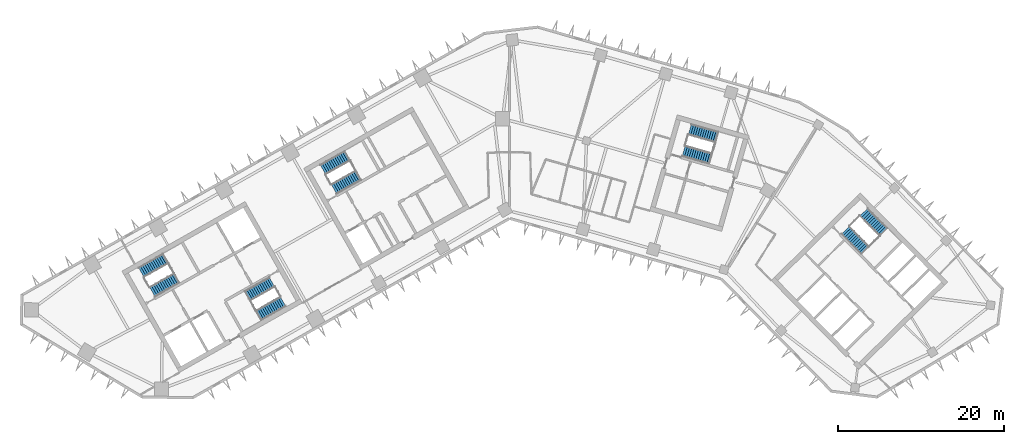
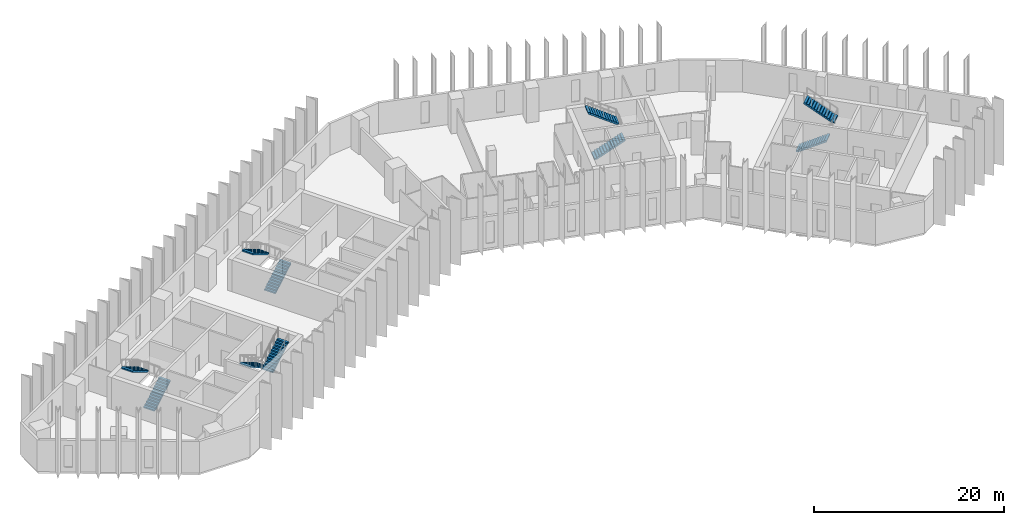
# One storey, part 8 of 11: 10 stair flights, 5 elements without a shape of their own.
"""IFC4 building model written with IfcOpenShell, lengths in metres."""

import ifcopenshell
import ifcopenshell.guid

model = None  # the IFC model being written
_history = None  # IfcOwnerHistory: only IFC2X3 demands one
_inside = {}  # id of a spatial element -> (the spatial element, [elements in it])
_under = {}  # id of a project, library or spatial element -> (it, [spatial elements below it])
_declared = {}  # id of a project -> (the project, [libraries it declares])
_typed = {}  # id of a type object -> (the type object, [elements of that type])
_made_of = {}  # id of a material, layer set ... -> (it, [elements and type objects made of it])


def new_model(schema):
    """Start an empty IFC model of exactly this schema.

    Asked for "IFC4X3", IfcOpenShell would pick the latest addendum, in which some entities
    have other attributes; the version numbers below select the first issue.
    IFC2X3 requires an IfcOwnerHistory on every rooted entity: one is made here for all.
    """
    global model, _history
    if schema == "IFC4X3":
        model = ifcopenshell.file(schema_version=(4, 3, 0, 0))
    else:
        model = ifcopenshell.file(schema=schema)
    _inside.clear()
    _under.clear()
    _declared.clear()
    _typed.clear()
    _made_of.clear()
    _history = None
    if model.schema == "IFC2X3":
        org = make("IfcOrganization", Name="unknown")
        user = make(
            "IfcPersonAndOrganization",
            ThePerson=make("IfcPerson", FamilyName="unknown"),
            TheOrganization=org,
        )
        app = make(
            "IfcApplication",
            ApplicationDeveloper=org,
            Version="unknown",
            ApplicationFullName="unknown",
            ApplicationIdentifier="unknown",
        )
        _history = make(
            "IfcOwnerHistory",
            OwningUser=user,
            OwningApplication=app,
            ChangeAction="ADDED",
            CreationDate=0,
        )
    return model


def make(cls, **values):
    """One entity of the class cls with the attributes given. An attribute that is None is left unset."""
    return model.create_entity(
        cls, **{name: value for name, value in values.items() if value is not None}
    )


def rooted(cls, **values):
    """An entity with a GlobalId (a new one), such as an element, a storey or a relation."""
    return make(cls, GlobalId=ifcopenshell.guid.new(), OwnerHistory=_history, **values)


def si_unit(unit_type, name, prefix=None):
    """IfcSIUnit, for example si_unit("LENGTHUNIT", "METRE", prefix="MILLI")."""
    return make("IfcSIUnit", UnitType=unit_type, Prefix=prefix, Name=name)


def assignment(units):
    """IfcUnitAssignment: the units of a project."""
    return None if units is None else make("IfcUnitAssignment", Units=units)


def point(xyz):
    """IfcCartesianPoint."""
    return None if xyz is None else make("IfcCartesianPoint", Coordinates=xyz)


def direction(xyz):
    """IfcDirection."""
    return None if xyz is None else make("IfcDirection", DirectionRatios=xyz)


def frame(location, z_axis=None, x_axis=None):
    """IfcAxis2Placement3D, a coordinate frame: its origin and axes. An axis left out is left unset."""
    return make(
        "IfcAxis2Placement3D",
        Location=point(location),
        Axis=direction(z_axis),
        RefDirection=direction(x_axis),
    )


def origin():
    """The frame at (0, 0, 0) with its axes left unset."""
    return frame((0.0, 0.0, 0.0))


def place(relative_to, where):
    """IfcLocalPlacement: puts the frame where relative to a parent placement (None: the world)."""
    return make(
        "IfcLocalPlacement", PlacementRelTo=relative_to, RelativePlacement=where
    )


def context(
    kind, dimensions, precision=None, world=None, true_north=None, identifier=None
):
    """IfcGeometricRepresentationContext, for example the 3D "Model" context."""
    return make(
        "IfcGeometricRepresentationContext",
        ContextIdentifier=identifier,
        ContextType=kind,
        CoordinateSpaceDimension=dimensions,
        Precision=precision,
        WorldCoordinateSystem=world,
        TrueNorth=true_north,
    )


def subcontext(parent, identifier, kind, view, scale=None):
    """IfcGeometricRepresentationSubContext, for example "Body" below "Model"."""
    return make(
        "IfcGeometricRepresentationSubContext",
        ContextIdentifier=identifier,
        ContextType=kind,
        ParentContext=parent,
        TargetScale=scale,
        TargetView=view,
    )


def project(units=None, contexts=None):
    """IfcProject with its units and contexts."""
    return rooted(
        "IfcProject",
        Name="project",
        RepresentationContexts=contexts,
        UnitsInContext=assignment(units),
    )


def spatial(cls, under=None, at=None, **own):
    """A site, building, storey or space (cls), placed at a placement, below another one or the project."""
    s = rooted(cls, ObjectPlacement=at, **own)
    if under is not None:
        _under.setdefault(under.id(), (under, []))[1].append(s)
    return s


def polyline(points):
    """IfcPolyline through the points."""
    return make("IfcPolyline", Points=[point(p) for p in points])


def outline(outer, holes=None, kind="AREA"):
    """IfcArbitraryClosedProfileDef: a profile drawn as a closed curve; with holes, ...WithVoids."""
    if holes is None:
        return make("IfcArbitraryClosedProfileDef", ProfileType=kind, OuterCurve=outer)
    return make(
        "IfcArbitraryProfileDefWithVoids",
        ProfileType=kind,
        OuterCurve=outer,
        InnerCurves=holes,
    )


def extrude(swept, where, along, depth):
    """IfcExtrudedAreaSolid: the profile swept, set in the frame where, extruded along a direction by depth."""
    return make(
        "IfcExtrudedAreaSolid",
        SweptArea=swept,
        Position=where,
        ExtrudedDirection=direction(along),
        Depth=depth,
    )


def shape(context_of_items, identifier, shape_type, items):
    """IfcShapeRepresentation: the items that make up one representation, for example the "Body"."""
    return make(
        "IfcShapeRepresentation",
        ContextOfItems=context_of_items,
        RepresentationIdentifier=identifier,
        RepresentationType=shape_type,
        Items=items,
    )


def material(Name=None, Category=None):
    """IfcMaterial."""
    return make("IfcMaterial", Name=Name, Category=Category)


def made_of(thing, what):
    """Note that an element or type object is made of a material, layer set ...; save() writes the relation."""
    if what is not None:
        _made_of.setdefault(what.id(), (what, []))[1].append(thing)
    return thing


def type_object(cls, material=None, **own):
    """A type object (cls), such as IfcWallType, which elements share."""
    return made_of(rooted(cls, **own), material)


def element(
    cls,
    number,
    at=None,
    inside=None,
    cuts=None,
    type_object=None,
    material=None,
    context=None,
    identifier="Body",
    shape_type=None,
    held_by="IfcProductDefinitionShape",
    body=None,
    shapes=None,
    **own,
):
    """One element of the class cls, such as IfcWall. Its Tag is "e" and its number.

    at: its placement. inside: the storey or other place that contains it. cuts: it is an
    opening in that element (IfcRelVoidsElement). A single representation is given by context,
    identifier, shape_type and body (its items); several are given by shapes. held_by: the class
    of the entity that holds the representations. save() writes the other relations.
    """
    e = rooted(cls, Tag="e%d" % number, ObjectPlacement=at, **own)
    if body is not None:
        shapes = [shape(context, identifier, shape_type, body)]
    if shapes is not None:
        e.Representation = make(held_by, Representations=shapes)
    if inside is not None:
        _inside.setdefault(inside.id(), (inside, []))[1].append(e)
    if cuts is not None:
        rooted(
            "IfcRelVoidsElement", RelatingBuildingElement=cuts, RelatedOpeningElement=e
        )
    if type_object is not None:
        _typed.setdefault(type_object.id(), (type_object, []))[1].append(e)
    return made_of(e, material)


def aggregate(whole, parts):
    """IfcRelAggregates: a whole, such as a stair, and the parts it consists of."""
    return rooted("IfcRelAggregates", RelatingObject=whole, RelatedObjects=parts)


def save(model, path):
    """Write the relations noted so far, then the file.

    IfcRelAggregates (storeys below a building ...), IfcRelContainedInSpatialStructure (elements
    in a storey), IfcRelDefinesByType, IfcRelAssociatesMaterial and IfcRelDeclares: one each for
    every whole, place, type object, material and project.
    """
    for whole, parts in _under.values():
        aggregate(whole, parts)
    for where, things in _inside.values():
        rooted(
            "IfcRelContainedInSpatialStructure",
            RelatedElements=things,
            RelatingStructure=where,
        )
    for kind, things in _typed.values():
        rooted("IfcRelDefinesByType", RelatedObjects=things, RelatingType=kind)
    for what, things in _made_of.values():
        rooted("IfcRelAssociatesMaterial", RelatedObjects=things, RelatingMaterial=what)
    for by, libraries in _declared.values():
        rooted("IfcRelDeclares", RelatingContext=by, RelatedDefinitions=libraries)
    model.write(path)


model = new_model("IFC4")

# Units and contexts
model_context = context("Model", 3, precision=1e-05, world=origin(), true_north=direction((0.0, 1.0)))
body_context = subcontext(model_context, "Body", "Model", "MODEL_VIEW")
ifc_project = project(units=[si_unit("LENGTHUNIT", "METRE"), si_unit("AREAUNIT", "SQUARE_METRE"), si_unit("VOLUMEUNIT", "CUBIC_METRE"), si_unit("PLANEANGLEUNIT", "RADIAN"), si_unit("MASSUNIT", "GRAM", prefix="KILO")], contexts=[model_context])

# Site, building, storey
site_placement = place(None, origin())
site = spatial("IfcSite", under=ifc_project, at=site_placement, CompositionType="ELEMENT")
building_placement = place(site_placement, origin())
building = spatial("IfcBuilding", under=site, at=building_placement, Name="Binnacle Exchange Tower", CompositionType="ELEMENT")
storey_placement = place(building_placement, frame((0.0, 0.0, 114.699951171875)))
storey = spatial("IfcBuildingStorey", under=building, at=storey_placement, Name="L23", CompositionType="ELEMENT", Elevation=114.699951171875)

# Stair, stair flights
ifc_material = material(Name="Concrete C35/45", Category="concrete")
stair_type = type_object("IfcStairType", Name="STAIR 26 RISERS 169", PredefinedType="HALF_TURN_STAIR", material=ifc_material)
stair_1_placement = place(storey_placement, origin())
stair_1 = element("IfcStair", 1, at=stair_1_placement, inside=storey, type_object=stair_type, Name="L23 Escape stair A1", PredefinedType="HALF_TURN_STAIR")
stair_flight_type = type_object("IfcStairFlightType", Name="STAIR FLIGHT 169X280", PredefinedType="STRAIGHT", material=ifc_material)
stair_flight_1_placement = place(storey_placement, frame((-42.9541015625, 39.17333984375, 0.0), z_axis=(0.0, 0.0, 1.0), x_axis=(0.870355584213, 0.492423757581, 0.0)))
stair_flight_1 = element("IfcStairFlight", 2, at=stair_flight_1_placement, type_object=stair_flight_type, Name="STA1 flight 1", NumberOfRisers=13, NumberOfTreads=12, PredefinedType="STRAIGHT", RiserHeight=0.169230769, TreadLength=0.28, context=body_context, shape_type="SweptSolid", body=[
    extrude(outline(polyline([(0.0, 0.0), (0.0, 0.169189453125), (0.280029296875, 0.169189453125), (0.280029296875, 0.33837890625), (0.56005859375, 0.33837890625), (0.56005859375, 0.5078125), (0.840087890625, 0.5078125), (0.840087890625, 0.677001953125), (1.1201171875, 0.677001953125), (1.1201171875, 0.84619140625), (1.39990234375, 0.84619140625), (1.39990234375, 1.015380859375), (1.679931640625, 1.015380859375), (1.679931640625, 1.1845703125), (1.9599609375, 1.1845703125), (1.9599609375, 1.353759765625), (2.239990234375, 1.353759765625), (2.239990234375, 1.523193359375), (2.52001953125, 1.523193359375), (2.52001953125, 1.6923828125), (2.800048828125, 1.6923828125), (2.800048828125, 1.861572265625), (3.080078125, 1.861572265625), (3.080078125, 2.03076171875), (3.360107421875, 2.03076171875), (3.360107421875, 2.199951171875), (3.360107421875, 1.855712890625), (0.289794921875, 0.0), (0.0, 0.0)])), frame((0.0, 0.675048828125, 0.0), z_axis=(0.0, -1.0, 0.0), x_axis=(1.0, 0.0, 0.0)), (0.0, 0.0, 1.0), 1.35009765625),
])
stair_flight_2_placement = place(storey_placement, frame((-41.359130859375, 43.177978515625, 2.199951171875), z_axis=(0.0, 0.0, 1.0), x_axis=(-0.870355584213, -0.492423757581, 0.0)))
stair_flight_2 = element("IfcStairFlight", 3, at=stair_flight_2_placement, type_object=stair_flight_type, Name="STA1 flight 2", NumberOfRisers=13, NumberOfTreads=12, PredefinedType="STRAIGHT", RiserHeight=0.169230769, TreadLength=0.28, context=body_context, shape_type="SweptSolid", body=[
    extrude(outline(polyline([(0.0, 0.0), (0.0, 0.169189453125), (0.280029296875, 0.169189453125), (0.280029296875, 0.33837890625), (0.56005859375, 0.33837890625), (0.56005859375, 0.5078125), (0.840087890625, 0.5078125), (0.840087890625, 0.677001953125), (1.1201171875, 0.677001953125), (1.1201171875, 0.84619140625), (1.39990234375, 0.84619140625), (1.39990234375, 1.015380859375), (1.679931640625, 1.015380859375), (1.679931640625, 1.1845703125), (1.9599609375, 1.1845703125), (1.9599609375, 1.353759765625), (2.239990234375, 1.353759765625), (2.239990234375, 1.523193359375), (2.52001953125, 1.523193359375), (2.52001953125, 1.6923828125), (2.800048828125, 1.6923828125), (2.800048828125, 1.861572265625), (3.080078125, 1.861572265625), (3.080078125, 2.03076171875), (3.360107421875, 2.03076171875), (3.360107421875, 2.199951171875), (3.360107421875, 1.855712890625), (0.289794921875, 0.0), (0.0, 0.0)])), frame((0.0, 0.675048828125, 0.0), z_axis=(0.0, -1.0, 0.0), x_axis=(1.0, 0.0, 0.0)), (0.0, 0.0, 1.0), 1.35009765625),
])
aggregate(stair_1, [stair_flight_1, stair_flight_2])

stair_2_placement = place(storey_placement, origin())
stair_2 = element("IfcStair", 4, at=stair_2_placement, inside=storey, type_object=stair_type, Name="L23 Escape stair A2", PredefinedType="HALF_TURN_STAIR")
stair_flight_3_placement = place(storey_placement, frame((-28.5732421875, 40.3583984375, 0.0), z_axis=(0.0, 0.0, 1.0), x_axis=(-0.870355584213, -0.492423757581, 0.0)))
stair_flight_3 = element("IfcStairFlight", 5, at=stair_flight_3_placement, type_object=stair_flight_type, Name="STA2 flight 1", NumberOfRisers=13, NumberOfTreads=12, PredefinedType="STRAIGHT", RiserHeight=0.169230769, TreadLength=0.28, context=body_context, shape_type="SweptSolid", body=[
    extrude(outline(polyline([(0.0, 0.0), (0.0, 0.169189453125), (0.280029296875, 0.169189453125), (0.280029296875, 0.33837890625), (0.56005859375, 0.33837890625), (0.56005859375, 0.5078125), (0.840087890625, 0.5078125), (0.840087890625, 0.677001953125), (1.1201171875, 0.677001953125), (1.1201171875, 0.84619140625), (1.39990234375, 0.84619140625), (1.39990234375, 1.015380859375), (1.679931640625, 1.015380859375), (1.679931640625, 1.1845703125), (1.9599609375, 1.1845703125), (1.9599609375, 1.353759765625), (2.239990234375, 1.353759765625), (2.239990234375, 1.523193359375), (2.52001953125, 1.523193359375), (2.52001953125, 1.6923828125), (2.800048828125, 1.6923828125), (2.800048828125, 1.861572265625), (3.080078125, 1.861572265625), (3.080078125, 2.03076171875), (3.360107421875, 2.03076171875), (3.360107421875, 2.199951171875), (3.360107421875, 1.855712890625), (0.289794921875, 0.0), (0.0, 0.0)])), frame((0.0, 0.675048828125, 0.0), z_axis=(0.0, -1.0, 0.0), x_axis=(1.0, 0.0, 0.0)), (0.0, 0.0, 1.0), 1.35009765625),
])
stair_flight_4_placement = place(storey_placement, frame((-30.16796875, 36.35400390625, 2.199951171875), z_axis=(0.0, 0.0, 1.0), x_axis=(0.870355584213, 0.492423757581, 0.0)))
stair_flight_4 = element("IfcStairFlight", 6, at=stair_flight_4_placement, type_object=stair_flight_type, Name="STA2 flight 2", NumberOfRisers=13, NumberOfTreads=12, PredefinedType="STRAIGHT", RiserHeight=0.169230769, TreadLength=0.28, context=body_context, shape_type="SweptSolid", body=[
    extrude(outline(polyline([(0.0, 0.0), (0.0, 0.169189453125), (0.280029296875, 0.169189453125), (0.280029296875, 0.33837890625), (0.56005859375, 0.33837890625), (0.56005859375, 0.5078125), (0.840087890625, 0.5078125), (0.840087890625, 0.677001953125), (1.1201171875, 0.677001953125), (1.1201171875, 0.84619140625), (1.39990234375, 0.84619140625), (1.39990234375, 1.015380859375), (1.679931640625, 1.015380859375), (1.679931640625, 1.1845703125), (1.9599609375, 1.1845703125), (1.9599609375, 1.353759765625), (2.239990234375, 1.353759765625), (2.239990234375, 1.523193359375), (2.52001953125, 1.523193359375), (2.52001953125, 1.6923828125), (2.800048828125, 1.6923828125), (2.800048828125, 1.861572265625), (3.080078125, 1.861572265625), (3.080078125, 2.03076171875), (3.360107421875, 2.03076171875), (3.360107421875, 2.199951171875), (3.360107421875, 1.855712890625), (0.289794921875, 0.0), (0.0, 0.0)])), frame((0.0, 0.675048828125, 0.0), z_axis=(0.0, -1.0, 0.0), x_axis=(1.0, 0.0, 0.0)), (0.0, 0.0, 1.0), 1.35009765625),
])
aggregate(stair_2, [stair_flight_3, stair_flight_4])

stair_3_placement = place(storey_placement, origin())
stair_3 = element("IfcStair", 7, at=stair_3_placement, inside=storey, type_object=stair_type, Name="L23 Escape stair B1", PredefinedType="HALF_TURN_STAIR")
stair_flight_5_placement = place(storey_placement, frame((40.376708984375, 46.608642578125, 0.0), z_axis=(0.0, 0.0, 1.0), x_axis=(0.70090935144, -0.713250363522, 0.0)))
stair_flight_5 = element("IfcStairFlight", 8, at=stair_flight_5_placement, type_object=stair_flight_type, Name="STB1 flight 1", NumberOfRisers=13, NumberOfTreads=12, PredefinedType="STRAIGHT", RiserHeight=0.169230769, TreadLength=0.28, context=body_context, shape_type="SweptSolid", body=[
    extrude(outline(polyline([(0.0, 0.0), (0.0, 0.169189453125), (0.280029296875, 0.169189453125), (0.280029296875, 0.33837890625), (0.56005859375, 0.33837890625), (0.56005859375, 0.5078125), (0.840087890625, 0.5078125), (0.840087890625, 0.677001953125), (1.1201171875, 0.677001953125), (1.1201171875, 0.84619140625), (1.39990234375, 0.84619140625), (1.39990234375, 1.015380859375), (1.679931640625, 1.015380859375), (1.679931640625, 1.1845703125), (1.9599609375, 1.1845703125), (1.9599609375, 1.353759765625), (2.239990234375, 1.353759765625), (2.239990234375, 1.523193359375), (2.52001953125, 1.523193359375), (2.52001953125, 1.6923828125), (2.800048828125, 1.6923828125), (2.800048828125, 1.861572265625), (3.080078125, 1.861572265625), (3.080078125, 2.03076171875), (3.360107421875, 2.03076171875), (3.360107421875, 2.199951171875), (3.360107421875, 1.855712890625), (0.289794921875, 0.0), (0.0, 0.0)])), frame((0.0, 0.675048828125, 0.0), z_axis=(0.0, -1.0, 0.0), x_axis=(1.0, 0.0, 0.0)), (0.0, 0.0, 1.0), 1.35009765625),
])
stair_flight_6_placement = place(storey_placement, frame((44.94287109375, 46.385009765625, 2.199951171875), z_axis=(0.0, 0.0, 1.0), x_axis=(-0.70090935144, 0.713250363522, 0.0)))
stair_flight_6 = element("IfcStairFlight", 9, at=stair_flight_6_placement, type_object=stair_flight_type, Name="STB1 flight 2", NumberOfRisers=13, NumberOfTreads=12, PredefinedType="STRAIGHT", RiserHeight=0.169230769, TreadLength=0.28, context=body_context, shape_type="SweptSolid", body=[
    extrude(outline(polyline([(0.0, 0.0), (0.0, 0.169189453125), (0.280029296875, 0.169189453125), (0.280029296875, 0.33837890625), (0.56005859375, 0.33837890625), (0.56005859375, 0.5078125), (0.840087890625, 0.5078125), (0.840087890625, 0.677001953125), (1.1201171875, 0.677001953125), (1.1201171875, 0.84619140625), (1.39990234375, 0.84619140625), (1.39990234375, 1.015380859375), (1.679931640625, 1.015380859375), (1.679931640625, 1.1845703125), (1.9599609375, 1.1845703125), (1.9599609375, 1.353759765625), (2.239990234375, 1.353759765625), (2.239990234375, 1.523193359375), (2.52001953125, 1.523193359375), (2.52001953125, 1.6923828125), (2.800048828125, 1.6923828125), (2.800048828125, 1.861572265625), (3.080078125, 1.861572265625), (3.080078125, 2.03076171875), (3.360107421875, 2.03076171875), (3.360107421875, 2.199951171875), (3.360107421875, 1.855712890625), (0.289794921875, 0.0), (0.0, 0.0)])), frame((0.0, 0.675048828125, 0.0), z_axis=(0.0, -1.0, 0.0), x_axis=(1.0, 0.0, 0.0)), (0.0, 0.0, 1.0), 1.35009765625),
])
aggregate(stair_3, [stair_flight_5, stair_flight_6])

stair_4_placement = place(storey_placement, origin())
stair_4 = element("IfcStair", 10, at=stair_4_placement, inside=storey, type_object=stair_type, Name="L23 Escape stair C1", PredefinedType="HALF_TURN_STAIR")
stair_flight_7_placement = place(storey_placement, frame((-21.115966796875, 51.528564453125, 0.0), z_axis=(0.0, 0.0, 1.0), x_axis=(0.870355584213, 0.492423757581, 0.0)))
stair_flight_7 = element("IfcStairFlight", 11, at=stair_flight_7_placement, type_object=stair_flight_type, Name="STC1 flight 1", NumberOfRisers=13, NumberOfTreads=12, PredefinedType="STRAIGHT", RiserHeight=0.169230769, TreadLength=0.28, context=body_context, shape_type="SweptSolid", body=[
    extrude(outline(polyline([(0.0, 0.0), (0.0, 0.169189453125), (0.280029296875, 0.169189453125), (0.280029296875, 0.33837890625), (0.56005859375, 0.33837890625), (0.56005859375, 0.5078125), (0.840087890625, 0.5078125), (0.840087890625, 0.677001953125), (1.1201171875, 0.677001953125), (1.1201171875, 0.84619140625), (1.39990234375, 0.84619140625), (1.39990234375, 1.015380859375), (1.679931640625, 1.015380859375), (1.679931640625, 1.1845703125), (1.9599609375, 1.1845703125), (1.9599609375, 1.353759765625), (2.239990234375, 1.353759765625), (2.239990234375, 1.523193359375), (2.52001953125, 1.523193359375), (2.52001953125, 1.6923828125), (2.800048828125, 1.6923828125), (2.800048828125, 1.861572265625), (3.080078125, 1.861572265625), (3.080078125, 2.03076171875), (3.360107421875, 2.03076171875), (3.360107421875, 2.199951171875), (3.360107421875, 1.855712890625), (0.289794921875, 0.0), (0.0, 0.0)])), frame((0.0, 0.675048828125, 0.0), z_axis=(0.0, -1.0, 0.0), x_axis=(1.0, 0.0, 0.0)), (0.0, 0.0, 1.0), 1.35009765625),
])
stair_flight_8_placement = place(storey_placement, frame((-19.521240234375, 55.533203125, 2.199951171875), z_axis=(0.0, 0.0, 1.0), x_axis=(-0.870355584213, -0.492423757581, 0.0)))
stair_flight_8 = element("IfcStairFlight", 12, at=stair_flight_8_placement, type_object=stair_flight_type, Name="STC1 flight 2", NumberOfRisers=13, NumberOfTreads=12, PredefinedType="STRAIGHT", RiserHeight=0.169230769, TreadLength=0.28, context=body_context, shape_type="SweptSolid", body=[
    extrude(outline(polyline([(0.0, 0.0), (0.0, 0.169189453125), (0.280029296875, 0.169189453125), (0.280029296875, 0.33837890625), (0.56005859375, 0.33837890625), (0.56005859375, 0.5078125), (0.840087890625, 0.5078125), (0.840087890625, 0.677001953125), (1.1201171875, 0.677001953125), (1.1201171875, 0.84619140625), (1.39990234375, 0.84619140625), (1.39990234375, 1.015380859375), (1.679931640625, 1.015380859375), (1.679931640625, 1.1845703125), (1.9599609375, 1.1845703125), (1.9599609375, 1.353759765625), (2.239990234375, 1.353759765625), (2.239990234375, 1.523193359375), (2.52001953125, 1.523193359375), (2.52001953125, 1.6923828125), (2.800048828125, 1.6923828125), (2.800048828125, 1.861572265625), (3.080078125, 1.861572265625), (3.080078125, 2.03076171875), (3.360107421875, 2.03076171875), (3.360107421875, 2.199951171875), (3.360107421875, 1.855712890625), (0.289794921875, 0.0), (0.0, 0.0)])), frame((0.0, 0.675048828125, 0.0), z_axis=(0.0, -1.0, 0.0), x_axis=(1.0, 0.0, 0.0)), (0.0, 0.0, 1.0), 1.35009765625),
])
aggregate(stair_4, [stair_flight_7, stair_flight_8])

stair_5_placement = place(storey_placement, origin())
stair_5 = element("IfcStair", 13, at=stair_5_placement, inside=storey, type_object=stair_type, Name="L23 Escape stair D1", PredefinedType="HALF_TURN_STAIR")
stair_flight_9_placement = place(storey_placement, frame((20.914306640625, 56.109619140625, 0.0), z_axis=(0.0, 0.0, 1.0), x_axis=(0.961261811397, -0.275636953165, 0.0)))
stair_flight_9 = element("IfcStairFlight", 14, at=stair_flight_9_placement, type_object=stair_flight_type, Name="STD1 flight 1", NumberOfRisers=13, NumberOfTreads=12, PredefinedType="STRAIGHT", RiserHeight=0.169230769, TreadLength=0.28, context=body_context, shape_type="SweptSolid", body=[
    extrude(outline(polyline([(0.0, 0.0), (0.0, 0.169189453125), (0.280029296875, 0.169189453125), (0.280029296875, 0.33837890625), (0.56005859375, 0.33837890625), (0.56005859375, 0.5078125), (0.840087890625, 0.5078125), (0.840087890625, 0.677001953125), (1.1201171875, 0.677001953125), (1.1201171875, 0.84619140625), (1.39990234375, 0.84619140625), (1.39990234375, 1.015380859375), (1.679931640625, 1.015380859375), (1.679931640625, 1.1845703125), (1.9599609375, 1.1845703125), (1.9599609375, 1.353759765625), (2.239990234375, 1.353759765625), (2.239990234375, 1.523193359375), (2.52001953125, 1.523193359375), (2.52001953125, 1.6923828125), (2.800048828125, 1.6923828125), (2.800048828125, 1.861572265625), (3.080078125, 1.861572265625), (3.080078125, 2.03076171875), (3.360107421875, 2.03076171875), (3.360107421875, 2.199951171875), (3.360107421875, 1.855712890625), (0.289794921875, 0.0), (0.0, 0.0)])), frame((0.0, 0.675048828125, 0.0), z_axis=(0.0, -1.0, 0.0), x_axis=(1.0, 0.0, 0.0)), (0.0, 0.0, 1.0), 1.35009765625),
])
stair_flight_10_placement = place(storey_placement, frame((24.888427734375, 57.77880859375, 2.199951171875), z_axis=(0.0, 0.0, 1.0), x_axis=(-0.961261811397, 0.275636953165, 0.0)))
stair_flight_10 = element("IfcStairFlight", 15, at=stair_flight_10_placement, type_object=stair_flight_type, Name="STD1 flight 2", NumberOfRisers=13, NumberOfTreads=12, PredefinedType="STRAIGHT", RiserHeight=0.169230769, TreadLength=0.28, context=body_context, shape_type="SweptSolid", body=[
    extrude(outline(polyline([(0.0, 0.0), (0.0, 0.169189453125), (0.280029296875, 0.169189453125), (0.280029296875, 0.33837890625), (0.56005859375, 0.33837890625), (0.56005859375, 0.5078125), (0.840087890625, 0.5078125), (0.840087890625, 0.677001953125), (1.1201171875, 0.677001953125), (1.1201171875, 0.84619140625), (1.39990234375, 0.84619140625), (1.39990234375, 1.015380859375), (1.679931640625, 1.015380859375), (1.679931640625, 1.1845703125), (1.9599609375, 1.1845703125), (1.9599609375, 1.353759765625), (2.239990234375, 1.353759765625), (2.239990234375, 1.523193359375), (2.52001953125, 1.523193359375), (2.52001953125, 1.6923828125), (2.800048828125, 1.6923828125), (2.800048828125, 1.861572265625), (3.080078125, 1.861572265625), (3.080078125, 2.03076171875), (3.360107421875, 2.03076171875), (3.360107421875, 2.199951171875), (3.360107421875, 1.855712890625), (0.289794921875, 0.0), (0.0, 0.0)])), frame((0.0, 0.675048828125, 0.0), z_axis=(0.0, -1.0, 0.0), x_axis=(1.0, 0.0, 0.0)), (0.0, 0.0, 1.0), 1.35009765625),
])
aggregate(stair_5, [stair_flight_9, stair_flight_10])

save(model, "model.ifc")
